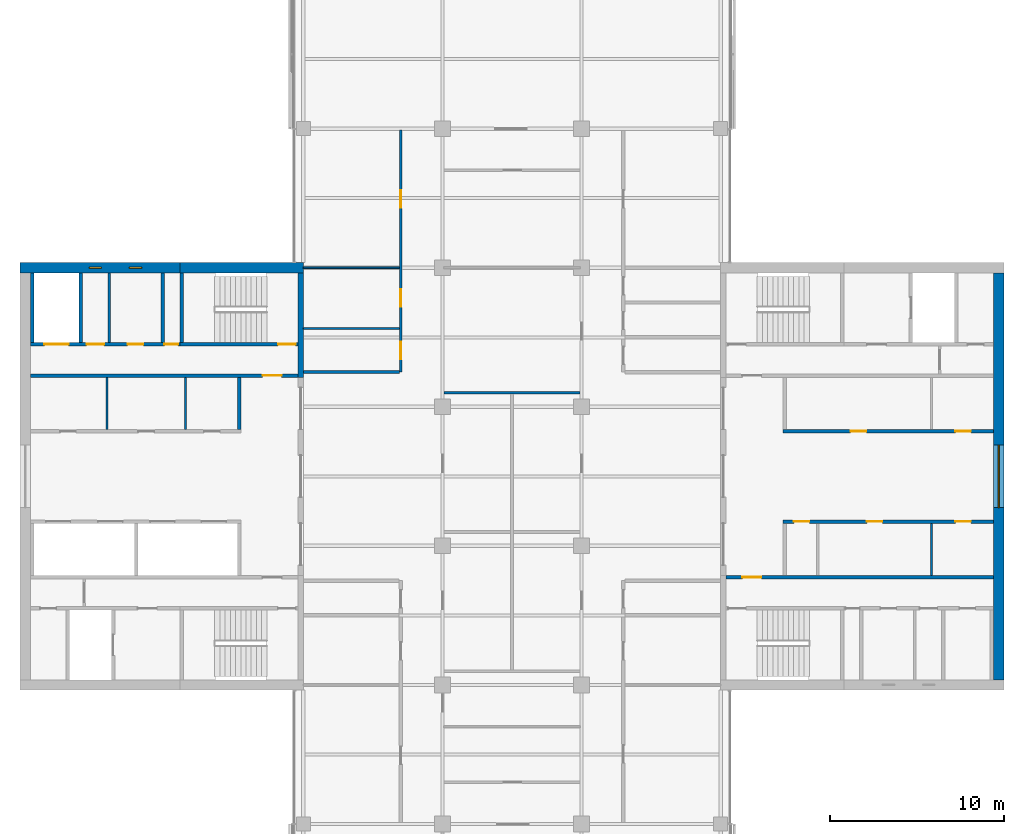
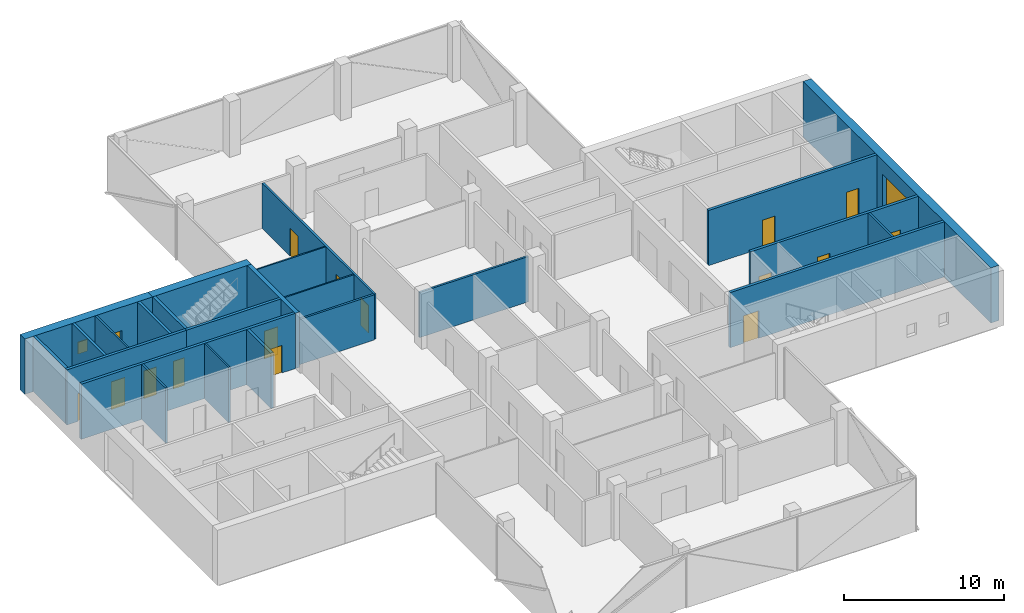
# One storey, part 11 of 16: 24 walls, 15 doors, 3 windows, 18 openings.
"""IFC4 building model written with IfcOpenShell, lengths in metres."""

from ifc_helpers import new_model, si_unit, direction, frame, frame_2d, origin, place, context, subcontext, project, spatial, rectangle, extrude, material, layer, layer_set, constituent, constituent_set, type_object, element, fill, save


model = new_model("IFC4")

# Units and contexts
model_context = context("Model", 3, precision=1e-05, world=origin(), true_north=direction((0.0, 1.0)))
body_context = subcontext(model_context, "Body", "Model", "MODEL_VIEW")
ifc_project = project(units=[si_unit("LENGTHUNIT", "METRE"), si_unit("AREAUNIT", "SQUARE_METRE"), si_unit("VOLUMEUNIT", "CUBIC_METRE"), si_unit("PLANEANGLEUNIT", "RADIAN"), si_unit("MASSUNIT", "GRAM", prefix="KILO")], contexts=[model_context])

# Site, building, storey
site_placement = place(None, origin())
site = spatial("IfcSite", under=ifc_project, at=site_placement, CompositionType="ELEMENT")
building_placement = place(site_placement, origin())
building = spatial("IfcBuilding", under=site, at=building_placement, Name="Crosswind Convention Tower", CompositionType="ELEMENT")
storey_placement = place(building_placement, frame((0.0, 0.0, 216.699951171875)))
storey = spatial("IfcBuildingStorey", under=building, at=storey_placement, Name="L46", CompositionType="ELEMENT", Elevation=216.699951171875)

# Walls
ifc_material_1 = material(Name="Concrete blockwork", Category="masonry")
ifc_layer_1 = layer(ifc_material_1, 0.199951171875)
ifc_layer_set_1 = layer_set([ifc_layer_1], Name="Blockwork partition wall 200")
wall_type_1 = type_object("IfcWallType", Name="Blockwork partition wall 200", PredefinedType="PARTITIONING", material=ifc_layer_set_1)
wall_1_placement = place(storey_placement, frame((104.89990234375, 111.699951171875, 0.0), z_axis=(0.0, 0.0, 1.0), x_axis=(0.0, -1.0, 0.0)))
element("IfcWall", 1, at=wall_1_placement, inside=storey, type_object=wall_type_1, Name="Wall MRSE W L46", PredefinedType="PARTITIONING", context=body_context, shape_type="SweptSolid", body=[
    extrude(rectangle(XDim=4.0, YDim=0.199951171875, at=frame_2d((2.0, 0.0))), origin(), (0.0, 0.0, 1.0), 4.199951171875),
])
ifc_material_2 = material(Name="Concrete C50/60", Category="concrete")
ifc_layer_2 = layer(ifc_material_2, 0.300048828125)
ifc_layer_set_2 = layer_set([ifc_layer_2], Name="Concrete C50/60")
wall_type_2 = type_object("IfcWallType", Name="Concrete inner core wall 300", PredefinedType="SHEAR", material=ifc_layer_set_2)
wall_2_placement = place(storey_placement, frame((112.85009765625, 111.699951171875, 0.0), z_axis=(0.0, 0.0, 1.0), x_axis=(0.0, -1.0, 0.0)))
element("IfcWall", 2, at=wall_2_placement, inside=storey, type_object=wall_type_2, Name="Wall EM W L46", PredefinedType="SHEAR", context=body_context, shape_type="SweptSolid", body=[
    extrude(rectangle(XDim=6.0, YDim=0.300048828125, at=frame_2d((3.0, 0.0))), origin(), (0.0, 0.0, 1.0), 4.199951171875),
])

# Wall, openings, doors
ifc_layer_3 = layer(ifc_material_2, 0.199951171875)
ifc_layer_set_3 = layer_set([ifc_layer_3], Name="Concrete C50/60")
wall_type_3 = type_object("IfcWallType", Name="Concrete shaft and stair wall 200", PredefinedType="SHEAR", material=ifc_layer_set_3)
wall_3_placement = place(storey_placement, frame((140.60009765625, 102.60009765625, 0.0), z_axis=(0.0, 0.0, 1.0), x_axis=(1.0, 0.0, 0.0)))
wall_3 = element("IfcWall", 3, at=wall_3_placement, inside=storey, type_object=wall_type_3, Name="Wall RPFRONT E L46", PredefinedType="SHEAR", context=body_context, shape_type="SweptSolid", body=[
    extrude(rectangle(XDim=12.099853515625, YDim=0.199951171875, at=frame_2d((6.0498046875, 0.0))), origin(), (0.0, 0.0, 1.0), 4.199951171875),
])
opening_1_placement = place(wall_3_placement, frame((3.8837890625, 0.0, 0.0)))
opening_1 = element("IfcOpeningElement", 4, at=opening_1_placement, cuts=wall_3, Name="Opening D106", PredefinedType="OPENING", context=body_context, shape_type="SweptSolid", body=[
    extrude(rectangle(XDim=0.89990234375, YDim=2.10009765625, at=frame_2d((0.449951171875, 1.050048828125))), frame((0.0, 0.10986328125, 0.0), z_axis=(0.0, -1.0, 0.0), x_axis=(1.0, 0.0, 0.0)), (0.0, 0.0, 1.0), 0.219970703125),
])
opening_2_placement = place(wall_3_placement, frame((9.896240234375, 0.0, 0.0)))
opening_2 = element("IfcOpeningElement", 5, at=opening_2_placement, cuts=wall_3, Name="Opening D106", PredefinedType="OPENING", context=body_context, shape_type="SweptSolid", body=[
    extrude(rectangle(XDim=0.89990234375, YDim=2.10009765625, at=frame_2d((0.449951171875, 1.050048828125))), frame((0.0, 0.10986328125, 0.0), z_axis=(0.0, -1.0, 0.0), x_axis=(1.0, 0.0, 0.0)), (0.0, 0.0, 1.0), 0.219970703125),
])
ifc_material_3 = material(Name="Timber door", Category="wood")
door_type_1 = type_object("IfcDoorType", Name="Single leaf door 900x2100", OperationType="NOTDEFINED", PredefinedType="DOOR", material=ifc_material_3)
door_1_placement = place(opening_1_placement, origin())
door_1 = element("IfcDoor", 6, at=door_1_placement, inside=storey, type_object=door_type_1, Name="Door to telecoms room L46", ObjectType="D106", OperationType="SINGLE_SWING_RIGHT", OverallHeight=2.10009765625, OverallWidth=0.89990234375, PredefinedType="DOOR", context=body_context, shape_type="SweptSolid", body=[
    extrude(rectangle(XDim=0.89990234375, YDim=2.10009765625, at=frame_2d((0.449951171875, 1.050048828125))), frame((0.0, 0.02490234375, 0.0), z_axis=(0.0, -1.0, 0.0), x_axis=(1.0, 0.0, 0.0)), (0.0, 0.0, 1.0), 0.050048828125),
])
fill(opening_1, door_1)
door_2_placement = place(opening_2_placement, origin())
door_2 = element("IfcDoor", 7, at=door_2_placement, inside=storey, type_object=door_type_1, Name="Door to storeroom L46", ObjectType="D106", OperationType="SINGLE_SWING_RIGHT", OverallHeight=2.10009765625, OverallWidth=0.89990234375, PredefinedType="DOOR", context=body_context, shape_type="SweptSolid", body=[
    extrude(rectangle(XDim=0.89990234375, YDim=2.10009765625, at=frame_2d((0.449951171875, 1.050048828125))), frame((0.0, 0.02490234375, 0.0), z_axis=(0.0, -1.0, 0.0), x_axis=(1.0, 0.0, 0.0)), (0.0, 0.0, 1.0), 0.050048828125),
])
fill(opening_2, door_2)

wall_4_placement = place(storey_placement, frame((140.60009765625, 97.39990234375, 0.0), z_axis=(0.0, 0.0, 1.0), x_axis=(1.0, 0.0, 0.0)))
wall_4 = element("IfcWall", 8, at=wall_4_placement, inside=storey, type_object=wall_type_3, Name="Wall RMFRONT E L46", PredefinedType="SHEAR", context=body_context, shape_type="SweptSolid", body=[
    extrude(rectangle(XDim=12.099853515625, YDim=0.199951171875, at=frame_2d((6.0498046875, 0.0))), origin(), (0.0, 0.0, 1.0), 4.199951171875),
])
opening_3_placement = place(wall_4_placement, frame((0.611328125, 0.0, 0.0)))
opening_3 = element("IfcOpeningElement", 9, at=opening_3_placement, cuts=wall_4, Name="Opening D106", PredefinedType="OPENING", context=body_context, shape_type="SweptSolid", body=[
    extrude(rectangle(XDim=0.89990234375, YDim=2.10009765625, at=frame_2d((0.449951171875, 1.050048828125))), frame((0.0, 0.10986328125, 0.0), z_axis=(0.0, -1.0, 0.0), x_axis=(1.0, 0.0, 0.0)), (0.0, 0.0, 1.0), 0.219970703125),
])
opening_4_placement = place(wall_4_placement, frame((4.8076171875, 0.0, 0.0)))
opening_4 = element("IfcOpeningElement", 10, at=opening_4_placement, cuts=wall_4, Name="Opening D106", PredefinedType="OPENING", context=body_context, shape_type="SweptSolid", body=[
    extrude(rectangle(XDim=0.89990234375, YDim=2.10009765625, at=frame_2d((0.449951171875, 1.050048828125))), frame((0.0, 0.10986328125, 0.0), z_axis=(0.0, -1.0, 0.0), x_axis=(1.0, 0.0, 0.0)), (0.0, 0.0, 1.0), 0.219970703125),
])
opening_5_placement = place(wall_4_placement, frame((9.896240234375, 0.0, 0.0)))
opening_5 = element("IfcOpeningElement", 11, at=opening_5_placement, cuts=wall_4, Name="Opening D106", PredefinedType="OPENING", context=body_context, shape_type="SweptSolid", body=[
    extrude(rectangle(XDim=0.89990234375, YDim=2.10009765625, at=frame_2d((0.449951171875, 1.050048828125))), frame((0.0, 0.10986328125, 0.0), z_axis=(0.0, -1.0, 0.0), x_axis=(1.0, 0.0, 0.0)), (0.0, 0.0, 1.0), 0.219970703125),
])
door_3_placement = place(opening_3_placement, frame((0.89990234375, 0.0, 0.0), z_axis=(0.0, 0.0, 1.0), x_axis=(-1.0, 0.0, 0.0)))
door_3 = element("IfcDoor", 12, at=door_3_placement, inside=storey, type_object=door_type_1, Name="Door to storeroom L46", ObjectType="D106", OperationType="SINGLE_SWING_LEFT", OverallHeight=2.10009765625, OverallWidth=0.89990234375, PredefinedType="DOOR", context=body_context, shape_type="SweptSolid", body=[
    extrude(rectangle(XDim=0.89990234375, YDim=2.10009765625, at=frame_2d((0.449951171875, 1.050048828125))), frame((0.0, 0.02490234375, 0.0), z_axis=(0.0, -1.0, 0.0), x_axis=(1.0, 0.0, 0.0)), (0.0, 0.0, 1.0), 0.050048828125),
])
fill(opening_3, door_3)
door_4_placement = place(opening_4_placement, frame((0.89990234375, 0.0, 0.0), z_axis=(0.0, 0.0, 1.0), x_axis=(-1.0, 0.0, 0.0)))
door_4 = element("IfcDoor", 13, at=door_4_placement, inside=storey, type_object=door_type_1, Name="Door to tenant services room L46", ObjectType="D106", OperationType="SINGLE_SWING_LEFT", OverallHeight=2.10009765625, OverallWidth=0.89990234375, PredefinedType="DOOR", context=body_context, shape_type="SweptSolid", body=[
    extrude(rectangle(XDim=0.89990234375, YDim=2.10009765625, at=frame_2d((0.449951171875, 1.050048828125))), frame((0.0, 0.02490234375, 0.0), z_axis=(0.0, -1.0, 0.0), x_axis=(1.0, 0.0, 0.0)), (0.0, 0.0, 1.0), 0.050048828125),
])
fill(opening_4, door_4)
door_5_placement = place(opening_5_placement, frame((0.89990234375, 0.0, 0.0), z_axis=(0.0, 0.0, 1.0), x_axis=(-1.0, 0.0, 0.0)))
door_5 = element("IfcDoor", 14, at=door_5_placement, inside=storey, type_object=door_type_1, Name="Door to copy and print room L46", ObjectType="D106", OperationType="SINGLE_SWING_LEFT", OverallHeight=2.10009765625, OverallWidth=0.89990234375, PredefinedType="DOOR", context=body_context, shape_type="SweptSolid", body=[
    extrude(rectangle(XDim=0.89990234375, YDim=2.10009765625, at=frame_2d((0.449951171875, 1.050048828125))), frame((0.0, 0.02490234375, 0.0), z_axis=(0.0, -1.0, 0.0), x_axis=(1.0, 0.0, 0.0)), (0.0, 0.0, 1.0), 0.050048828125),
])
fill(opening_5, door_5)

# Wall, opening, door
wall_5_placement = place(storey_placement, frame((137.300048828125, 94.199951171875, 0.0), z_axis=(0.0, 0.0, 1.0), x_axis=(1.0, 0.0, 0.0)))
wall_5 = element("IfcWall", 15, at=wall_5_placement, inside=storey, type_object=wall_type_3, Name="Wall HM E L46", PredefinedType="SHEAR", context=body_context, shape_type="SweptSolid", body=[
    extrude(rectangle(XDim=15.39990234375, YDim=0.199951171875, at=frame_2d((7.699951171875, 0.0))), origin(), (0.0, 0.0, 1.0), 4.199951171875),
])
opening_6_placement = place(wall_5_placement, frame((0.949951171875, 0.0, 0.0)))
opening_6 = element("IfcOpeningElement", 16, at=opening_6_placement, cuts=wall_5, Name="Opening D104", PredefinedType="OPENING", context=body_context, shape_type="SweptSolid", body=[
    extrude(rectangle(XDim=1.10009765625, YDim=2.10009765625, at=frame_2d((0.550048828125, 1.050048828125))), frame((0.0, 0.10986328125, 0.0), z_axis=(0.0, -1.0, 0.0), x_axis=(1.0, 0.0, 0.0)), (0.0, 0.0, 1.0), 0.219970703125),
])
ifc_material_4 = material(Name="Steel fire door", Category="steel")
door_type_2 = type_object("IfcDoorType", Name="Fire-rated single door 1100x2100", OperationType="NOTDEFINED", PredefinedType="DOOR", material=ifc_material_4)
door_6_placement = place(opening_6_placement, origin())
door_6 = element("IfcDoor", 17, at=door_6_placement, inside=storey, type_object=door_type_2, Name="Corridor door L46", ObjectType="D104", OperationType="SINGLE_SWING_LEFT", OverallHeight=2.10009765625, OverallWidth=1.10009765625, PredefinedType="DOOR", context=body_context, shape_type="SweptSolid", body=[
    extrude(rectangle(XDim=1.10009765625, YDim=2.10009765625, at=frame_2d((0.550048828125, 1.050048828125))), frame((0.0, 0.02490234375, 0.0), z_axis=(0.0, -1.0, 0.0), x_axis=(1.0, 0.0, 0.0)), (0.0, 0.0, 1.0), 0.050048828125),
])
fill(opening_6, door_6)

# Wall
wall_6_placement = place(storey_placement, frame((109.300048828125, 105.699951171875, 0.0), z_axis=(0.0, 0.0, 1.0), x_axis=(0.0, -1.0, 0.0)))
element("IfcWall", 18, at=wall_6_placement, inside=storey, type_object=wall_type_3, Name="Wall RMEND W L46", PredefinedType="SHEAR", context=body_context, shape_type="SweptSolid", body=[
    extrude(rectangle(XDim=3.0, YDim=0.199951171875, at=frame_2d((1.5, 0.0))), origin(), (0.0, 0.0, 1.0), 4.199951171875),
])

# Wall, opening, door
wall_7_placement = place(storey_placement, frame((112.699951171875, 105.800048828125, 0.0), z_axis=(0.0, 0.0, 1.0), x_axis=(-1.0, 0.0, 0.0)))
wall_7 = element("IfcWall", 19, at=wall_7_placement, inside=storey, type_object=wall_type_3, Name="Wall HM W L46", PredefinedType="SHEAR", context=body_context, shape_type="SweptSolid", body=[
    extrude(rectangle(XDim=15.39990234375, YDim=0.199951171875, at=frame_2d((7.699951171875, 0.0))), origin(), (0.0, 0.0, 1.0), 4.199951171875),
])
opening_7_placement = place(wall_7_placement, frame((0.949951171875, 0.0, 0.0)))
opening_7 = element("IfcOpeningElement", 20, at=opening_7_placement, cuts=wall_7, Name="Opening D104", PredefinedType="OPENING", context=body_context, shape_type="SweptSolid", body=[
    extrude(rectangle(XDim=1.10009765625, YDim=2.10009765625, at=frame_2d((0.550048828125, 1.050048828125))), frame((0.0, 0.10986328125, 0.0), z_axis=(0.0, -1.0, 0.0), x_axis=(1.0, 0.0, 0.0)), (0.0, 0.0, 1.0), 0.219970703125),
])
door_7_placement = place(opening_7_placement, origin())
door_7 = element("IfcDoor", 21, at=door_7_placement, inside=storey, type_object=door_type_2, Name="Corridor door L46", ObjectType="D104", OperationType="SINGLE_SWING_LEFT", OverallHeight=2.10009765625, OverallWidth=1.10009765625, PredefinedType="DOOR", context=body_context, shape_type="SweptSolid", body=[
    extrude(rectangle(XDim=1.10009765625, YDim=2.10009765625, at=frame_2d((0.550048828125, 1.050048828125))), frame((0.0, 0.02490234375, 0.0), z_axis=(0.0, -1.0, 0.0), x_axis=(1.0, 0.0, 0.0)), (0.0, 0.0, 1.0), 0.050048828125),
])
fill(opening_7, door_7)

# Walls
for number, where, z_axis, x_axis, name in (
    (22, (106.0, 111.699951171875, 0.0), (0.0, 0.0, 1.0), (0.0, -1.0, 0.0), "Wall MSE W L46"),
    (23, (100.199951171875, 111.699951171875, 0.0), (0.0, 0.0, 1.0), (0.0, -1.0, 0.0), "Wall MFSW W L46"),
    (24, (97.39990234375, 111.699951171875, 0.0), (0.0, 0.0, 1.0), (0.0, -1.0, 0.0), "Wall MFSE W L46"),
):
    element("IfcWall", number, at=place(storey_placement, frame(where, z_axis=z_axis, x_axis=x_axis)), inside=storey, type_object=wall_type_3, Name=name, PredefinedType="SHEAR", context=body_context, shape_type="SweptSolid", body=[
        extrude(rectangle(XDim=4.0, YDim=0.199951171875, at=frame_2d((2.0, 0.0))), origin(), (0.0, 0.0, 1.0), 4.199951171875),
    ])

# Wall, opening, door
wall_8_placement = place(storey_placement, frame((112.699951171875, 107.60009765625, 0.0), z_axis=(0.0, 0.0, 1.0), x_axis=(-1.0, 0.0, 0.0)))
wall_8 = element("IfcWall", 25, at=wall_8_placement, inside=storey, type_object=wall_type_3, Name="Wall MCW W L46", PredefinedType="SHEAR", context=body_context, shape_type="SweptSolid", body=[
    extrude(rectangle(XDim=6.800048828125, YDim=0.199951171875, at=frame_2d((3.39990234375, 0.0))), origin(), (0.0, 0.0, 1.0), 4.199951171875),
])
opening_8_placement = place(wall_8_placement, frame((0.14990234375, 0.0, 0.0)))
opening_8 = element("IfcOpeningElement", 26, at=opening_8_placement, cuts=wall_8, Name="Opening D103", PredefinedType="OPENING", context=body_context, shape_type="SweptSolid", body=[
    extrude(rectangle(XDim=1.0, YDim=2.10009765625, at=frame_2d((0.5, 1.050048828125))), frame((0.0, 0.10986328125, 0.0), z_axis=(0.0, -1.0, 0.0), x_axis=(1.0, 0.0, 0.0)), (0.0, 0.0, 1.0), 0.219970703125),
])
door_type_3 = type_object("IfcDoorType", Name="Fire-rated single door 1000x2100", OperationType="NOTDEFINED", PredefinedType="DOOR", material=ifc_material_4)
door_8_placement = place(opening_8_placement, frame((1.0, 0.0, 0.0), z_axis=(0.0, 0.0, 1.0), x_axis=(-1.0, 0.0, 0.0)))
door_8 = element("IfcDoor", 27, at=door_8_placement, inside=storey, type_object=door_type_3, Name="Stair ST4 door L46", ObjectType="D103", OperationType="SINGLE_SWING_RIGHT", OverallHeight=2.10009765625, OverallWidth=1.0, PredefinedType="DOOR", context=body_context, shape_type="SweptSolid", body=[
    extrude(rectangle(XDim=1.0, YDim=2.10009765625, at=frame_2d((0.5, 1.050048828125))), frame((0.0, 0.02490234375, 0.0), z_axis=(0.0, -1.0, 0.0), x_axis=(1.0, 0.0, 0.0)), (0.0, 0.0, 1.0), 0.050048828125),
])
fill(opening_8, door_8)

# Wall, openings, doors
wall_9_placement = place(storey_placement, frame((105.89990234375, 107.60009765625, 0.0), z_axis=(0.0, 0.0, 1.0), x_axis=(-1.0, 0.0, 0.0)))
wall_9 = element("IfcWall", 28, at=wall_9_placement, inside=storey, type_object=wall_type_3, Name="Wall MCX W L46", PredefinedType="SHEAR", context=body_context, shape_type="SweptSolid", body=[
    extrude(rectangle(XDim=8.599853515625, YDim=0.199951171875, at=frame_2d((4.2998046875, 0.0))), origin(), (0.0, 0.0, 1.0), 4.199951171875),
])
opening_9_placement = place(wall_9_placement, frame((0.10009765625, 0.0, 0.0)))
opening_9 = element("IfcOpeningElement", 29, at=opening_9_placement, cuts=wall_9, Name="Opening D105", PredefinedType="OPENING", context=body_context, shape_type="SweptSolid", body=[
    extrude(rectangle(XDim=0.800048828125, YDim=2.10009765625, at=frame_2d((0.39990234375, 1.050048828125))), frame((0.0, 0.10986328125, 0.0), z_axis=(0.0, -1.0, 0.0), x_axis=(1.0, 0.0, 0.0)), (0.0, 0.0, 1.0), 0.219970703125),
])
opening_10_placement = place(wall_9_placement, frame((2.103759765625, 0.0, 0.0)))
opening_10 = element("IfcOpeningElement", 30, at=opening_10_placement, cuts=wall_9, Name="Opening D106", PredefinedType="OPENING", context=body_context, shape_type="SweptSolid", body=[
    extrude(rectangle(XDim=0.89990234375, YDim=2.10009765625, at=frame_2d((0.449951171875, 1.050048828125))), frame((0.0, 0.10986328125, 0.0), z_axis=(0.0, -1.0, 0.0), x_axis=(1.0, 0.0, 0.0)), (0.0, 0.0, 1.0), 0.219970703125),
])
opening_11_placement = place(wall_9_placement, frame((4.3662109375, 0.0, 0.0)))
opening_11 = element("IfcOpeningElement", 31, at=opening_11_placement, cuts=wall_9, Name="Opening D103", PredefinedType="OPENING", context=body_context, shape_type="SweptSolid", body=[
    extrude(rectangle(XDim=1.0, YDim=2.10009765625, at=frame_2d((0.5, 1.050048828125))), frame((0.0, 0.10986328125, 0.0), z_axis=(0.0, -1.0, 0.0), x_axis=(1.0, 0.0, 0.0)), (0.0, 0.0, 1.0), 0.219970703125),
])
opening_12_placement = place(wall_9_placement, frame((6.39990234375, 0.0, 0.0)))
opening_12 = element("IfcOpeningElement", 32, at=opening_12_placement, cuts=wall_9, Name="Opening LD2", PredefinedType="OPENING", context=body_context, shape_type="SweptSolid", body=[
    extrude(rectangle(XDim=1.39990234375, YDim=2.10009765625, at=frame_2d((0.699951171875, 1.050048828125))), frame((0.0, 0.10986328125, 0.0), z_axis=(0.0, -1.0, 0.0), x_axis=(1.0, 0.0, 0.0)), (0.0, 0.0, 1.0), 0.219970703125),
])
door_9_placement = place(opening_11_placement, frame((1.0, 0.0, 0.0), z_axis=(0.0, 0.0, 1.0), x_axis=(-1.0, 0.0, 0.0)))
door_9 = element("IfcDoor", 33, at=door_9_placement, inside=storey, type_object=door_type_3, Name="Door to accessible wc L46", ObjectType="D103", OperationType="SINGLE_SWING_LEFT", OverallHeight=2.10009765625, OverallWidth=1.0, PredefinedType="DOOR", context=body_context, shape_type="SweptSolid", body=[
    extrude(rectangle(XDim=1.0, YDim=2.10009765625, at=frame_2d((0.5, 1.050048828125))), frame((0.0, 0.02490234375, 0.0), z_axis=(0.0, -1.0, 0.0), x_axis=(1.0, 0.0, 0.0)), (0.0, 0.0, 1.0), 0.050048828125),
])
fill(opening_11, door_9)
ifc_material_5 = material(Name="Stainless steel", Category="steel")
door_type_4 = type_object("IfcDoorType", Name="Lift landing door 1400x2100", OperationType="DOUBLE_DOOR_SLIDING", PredefinedType="DOOR", material=ifc_material_5)
door_10_placement = place(opening_12_placement, origin())
door_10 = element("IfcDoor", 34, at=door_10_placement, inside=storey, type_object=door_type_4, Name="Landing door SV2 L46", ObjectType="LD2", OperationType="DOUBLE_DOOR_SLIDING", OverallHeight=2.10009765625, OverallWidth=1.39990234375, PredefinedType="DOOR", context=body_context, shape_type="SweptSolid", body=[
    extrude(rectangle(XDim=1.39990234375, YDim=2.10009765625, at=frame_2d((0.699951171875, 1.050048828125))), frame((0.0, 0.02490234375, 0.0), z_axis=(0.0, -1.0, 0.0), x_axis=(1.0, 0.0, 0.0)), (0.0, 0.0, 1.0), 0.050048828125),
])
fill(opening_12, door_10)
door_type_5 = type_object("IfcDoorType", Name="Riser access door 800x2100", OperationType="NOTDEFINED", PredefinedType="DOOR", material=ifc_material_4)
door_11_placement = place(opening_9_placement, frame((0.800048828125, 0.0, 0.0), z_axis=(0.0, 0.0, 1.0), x_axis=(-1.0, 0.0, 0.0)))
door_11 = element("IfcDoor", 35, at=door_11_placement, inside=storey, type_object=door_type_5, Name="Riser door L46", ObjectType="D105", OperationType="SINGLE_SWING_LEFT", OverallHeight=2.10009765625, OverallWidth=0.800048828125, PredefinedType="DOOR", context=body_context, shape_type="SweptSolid", body=[
    extrude(rectangle(XDim=0.800048828125, YDim=2.10009765625, at=frame_2d((0.39990234375, 1.050048828125))), frame((0.0, 0.02490234375, 0.0), z_axis=(0.0, -1.0, 0.0), x_axis=(1.0, 0.0, 0.0)), (0.0, 0.0, 1.0), 0.050048828125),
])
fill(opening_9, door_11)
door_12_placement = place(opening_10_placement, frame((0.89990234375, 0.0, 0.0), z_axis=(0.0, 0.0, 1.0), x_axis=(-1.0, 0.0, 0.0)))
door_12 = element("IfcDoor", 36, at=door_12_placement, inside=storey, type_object=door_type_1, Name="Door to wc L46", ObjectType="D106", OperationType="SINGLE_SWING_LEFT", OverallHeight=2.10009765625, OverallWidth=0.89990234375, PredefinedType="DOOR", context=body_context, shape_type="SweptSolid", body=[
    extrude(rectangle(XDim=0.89990234375, YDim=2.10009765625, at=frame_2d((0.449951171875, 1.050048828125))), frame((0.0, 0.02490234375, 0.0), z_axis=(0.0, -1.0, 0.0), x_axis=(1.0, 0.0, 0.0)), (0.0, 0.0, 1.0), 0.050048828125),
])
fill(opening_10, door_12)

# Walls
ifc_material_6 = material(Name="Gypsum plasterboard partition", Category="gypsum")
ifc_layer_4 = layer(ifc_material_6, 0.125)
ifc_layer_set_4 = layer_set([ifc_layer_4], Name="Drywall partition wall 125")
wall_type_4 = type_object("IfcWallType", Name="Drywall partition wall 125", PredefinedType="PARTITIONING", material=ifc_layer_set_4)
for number, where, z_axis, x_axis, name in (
    (37, (149.1298828125, 94.300048828125, 0.0), (0.0, 0.0, 1.0), (0.0, 1.0, 0.0), "Wall RMP2 E L46"),
    (38, (106.22509765625, 105.699951171875, 0.0), (0.0, 0.0, 1.0), (0.0, -1.0, 0.0), "Wall RMP1 W L46"),
    (39, (101.702880859375, 105.699951171875, 0.0), (0.0, 0.0, 1.0), (0.0, -1.0, 0.0), "Wall RMP2 W L46"),
):
    element("IfcWall", number, at=place(storey_placement, frame(where, z_axis=z_axis, x_axis=x_axis)), inside=storey, type_object=wall_type_4, Name=name, PredefinedType="PARTITIONING", context=body_context, shape_type="SweptSolid", body=[
        extrude(rectangle(XDim=3.0, YDim=0.125, at=frame_2d((1.5, 0.0))), origin(), (0.0, 0.0, 1.0), 4.199951171875),
    ])
wall_10_placement = place(storey_placement, frame((101.830078125, 111.699951171875, 0.0), z_axis=(0.0, 0.0, 1.0), x_axis=(0.0, -1.0, 0.0)))
element("IfcWall", 40, at=wall_10_placement, inside=storey, type_object=wall_type_4, Name="Wall MWP1 W L46", PredefinedType="PARTITIONING", context=body_context, shape_type="SweptSolid", body=[
    extrude(rectangle(XDim=4.0, YDim=0.125, at=frame_2d((2.0, 0.0))), origin(), (0.0, 0.0, 1.0), 4.199951171875),
])
ifc_material_7 = material(Name="Plasterboard partition", Category="gypsum")
ifc_layer_5 = layer(ifc_material_7, 0.10009765625)
ifc_layer_set_5 = layer_set([ifc_layer_5], Name="PARTITION 100 METAL STUD")
wall_type_5 = type_object("IfcWallType", Name="PARTITION 100 METAL STUD", PredefinedType="PARTITIONING", material=ifc_layer_set_5)
for number, where, z_axis, x_axis, name in (
    (41, (113.0, 108.5, 0.0), (0.0, 0.0, 1.0), (1.0, 0.0, 0.0), "Partition wall WT40"),
    (42, (113.0, 112.0, 0.0), (0.0, 0.0, 1.0), (1.0, 0.0, 0.0), "Partition wall WT40"),
):
    element("IfcWall", number, at=place(storey_placement, frame(where, z_axis=z_axis, x_axis=x_axis)), inside=storey, type_object=wall_type_5, Name=name, PredefinedType="PARTITIONING", context=body_context, shape_type="SweptSolid", body=[
        extrude(rectangle(XDim=5.52490234375, YDim=0.10009765625, at=frame_2d((2.762451171875, 0.0))), origin(), (0.0, 0.0, 1.0), 3.43994140625),
    ])

# Wall, openings, doors
ifc_material_8 = material(Name="Fire-board partition with mineral wool", Category="gypsum")
ifc_layer_6 = layer(ifc_material_8, 0.14990234375)
ifc_layer_set_6 = layer_set([ifc_layer_6], Name="TENANCY WALL 150 TWO-HOUR BOARD")
wall_type_6 = type_object("IfcWallType", Name="TENANCY WALL 150 TWO-HOUR BOARD", PredefinedType="PARTITIONING", material=ifc_layer_set_6)
wall_11_placement = place(storey_placement, frame((118.60009765625, 106.0, 0.0), z_axis=(0.0, 0.0, 1.0), x_axis=(0.0, 1.0, 0.0)))
wall_11 = element("IfcWall", 43, at=wall_11_placement, inside=storey, type_object=wall_type_6, Name="Tenancy wall WT41", PredefinedType="PARTITIONING", context=body_context, shape_type="SweptSolid", body=[
    extrude(rectangle(XDim=13.925048828125, YDim=0.14990234375, at=frame_2d((6.96240234375, 0.0))), origin(), (0.0, 0.0, 1.0), 3.43994140625),
])
opening_13_placement = place(wall_11_placement, frame((0.75, 0.0, 0.0)))
opening_13 = element("IfcOpeningElement", 44, at=opening_13_placement, cuts=wall_11, Name="Opening L46-57", PredefinedType="OPENING", context=body_context, shape_type="SweptSolid", body=[
    extrude(rectangle(XDim=1.0, YDim=2.10009765625, at=frame_2d((0.5, 1.050048828125))), frame((0.0, 0.0849609375, 0.0), z_axis=(0.0, -1.0, 0.0), x_axis=(1.0, 0.0, 0.0)), (0.0, 0.0, 1.0), 0.169921875),
])
opening_14_placement = place(wall_11_placement, frame((3.75, 0.0, 0.0)))
opening_14 = element("IfcOpeningElement", 45, at=opening_14_placement, cuts=wall_11, Name="Opening L46-58", PredefinedType="OPENING", context=body_context, shape_type="SweptSolid", body=[
    extrude(rectangle(XDim=1.0, YDim=2.10009765625, at=frame_2d((0.5, 1.050048828125))), frame((0.0, 0.0849609375, 0.0), z_axis=(0.0, -1.0, 0.0), x_axis=(1.0, 0.0, 0.0)), (0.0, 0.0, 1.0), 0.169921875),
])
opening_15_placement = place(wall_11_placement, frame((9.449951171875, 0.0, 0.0)))
opening_15 = element("IfcOpeningElement", 46, at=opening_15_placement, cuts=wall_11, Name="Opening L46-59", PredefinedType="OPENING", context=body_context, shape_type="SweptSolid", body=[
    extrude(rectangle(XDim=1.0, YDim=2.10009765625, at=frame_2d((0.5, 1.050048828125))), frame((0.0, 0.0849609375, 0.0), z_axis=(0.0, -1.0, 0.0), x_axis=(1.0, 0.0, 0.0)), (0.0, 0.0, 1.0), 0.169921875),
])
ifc_material_9 = material(Name="Timber fire door", Category="wood")
door_type_6 = type_object("IfcDoorType", Name="TENANCY ENTRANCE DOOR 1000X2100 FD30S", OperationType="NOTDEFINED", PredefinedType="DOOR", material=ifc_material_9)
door_13_placement = place(opening_13_placement, origin())
door_13 = element("IfcDoor", 47, at=door_13_placement, inside=storey, type_object=door_type_6, Name="Door L46-57", ObjectType="D41", OperationType="SINGLE_SWING_RIGHT", OverallHeight=2.10009765625, OverallWidth=1.0, PredefinedType="DOOR", context=body_context, shape_type="SweptSolid", body=[
    extrude(rectangle(XDim=1.0, YDim=2.10009765625, at=frame_2d((0.5, 1.050048828125))), frame((0.0, 0.02490234375, 0.0), z_axis=(0.0, -1.0, 0.0), x_axis=(1.0, 0.0, 0.0)), (0.0, 0.0, 1.0), 0.050048828125),
])
fill(opening_13, door_13)
door_14_placement = place(opening_14_placement, origin())
door_14 = element("IfcDoor", 48, at=door_14_placement, inside=storey, type_object=door_type_6, Name="Door L46-58", ObjectType="D41", OperationType="SINGLE_SWING_RIGHT", OverallHeight=2.10009765625, OverallWidth=1.0, PredefinedType="DOOR", context=body_context, shape_type="SweptSolid", body=[
    extrude(rectangle(XDim=1.0, YDim=2.10009765625, at=frame_2d((0.5, 1.050048828125))), frame((0.0, 0.02490234375, 0.0), z_axis=(0.0, -1.0, 0.0), x_axis=(1.0, 0.0, 0.0)), (0.0, 0.0, 1.0), 0.050048828125),
])
fill(opening_14, door_14)
door_15_placement = place(opening_15_placement, origin())
door_15 = element("IfcDoor", 49, at=door_15_placement, inside=storey, type_object=door_type_6, Name="Door L46-59", ObjectType="D41", OperationType="SINGLE_SWING_LEFT", OverallHeight=2.10009765625, OverallWidth=1.0, PredefinedType="DOOR", context=body_context, shape_type="SweptSolid", body=[
    extrude(rectangle(XDim=1.0, YDim=2.10009765625, at=frame_2d((0.5, 1.050048828125))), frame((0.0, 0.02490234375, 0.0), z_axis=(0.0, -1.0, 0.0), x_axis=(1.0, 0.0, 0.0)), (0.0, 0.0, 1.0), 0.050048828125),
])
fill(opening_15, door_15)

# Walls
wall_12_placement = place(storey_placement, frame((121.074951171875, 104.800048828125, 0.0), z_axis=(0.0, 0.0, 1.0), x_axis=(1.0, 0.0, 0.0)))
element("IfcWall", 50, at=wall_12_placement, inside=storey, type_object=wall_type_6, Name="Tenancy wall WT41", PredefinedType="PARTITIONING", context=body_context, shape_type="SweptSolid", body=[
    extrude(rectangle(XDim=7.85009765625, YDim=0.14990234375, at=frame_2d((3.925048828125, 0.0))), origin(), (0.0, 0.0, 1.0), 3.43994140625),
])
wall_13_placement = place(storey_placement, frame((113.0, 106.0, 0.0), z_axis=(0.0, 0.0, 1.0), x_axis=(1.0, 0.0, 0.0)))
element("IfcWall", 51, at=wall_13_placement, inside=storey, type_object=wall_type_6, Name="Tenancy wall WT41", PredefinedType="PARTITIONING", context=body_context, shape_type="SweptSolid", body=[
    extrude(rectangle(XDim=5.52490234375, YDim=0.14990234375, at=frame_2d((2.762451171875, 0.0))), origin(), (0.0, 0.0, 1.0), 3.43994140625),
])

# Wall, opening, window
ifc_material_10 = material(Name="Concrete C60/75", Category="concrete")
ifc_constituent_1 = constituent(ifc_material_10, Name="Structure")
ifc_material_11 = material(Name="Terracotta rainscreen", Category="ceramic")
ifc_constituent_2 = constituent(ifc_material_11, Name="Facing")
ifc_constituent_set = constituent_set(constituents=[ifc_constituent_1, ifc_constituent_2], Name="Concrete C60/75, Terracotta rainscreen")
wall_type_7 = type_object("IfcWallType", Name="Terracotta rainscreen on concrete core wall 600", PredefinedType="SHEAR", material=ifc_constituent_set)
wall_14_placement = place(storey_placement, frame((153.0, 88.300048828125, 0.0), z_axis=(0.0, 0.0, 1.0), x_axis=(0.0, 1.0, 0.0)))
wall_14 = element("IfcWall", 52, at=wall_14_placement, inside=storey, type_object=wall_type_7, Name="Wall O E L46", PredefinedType="SHEAR", context=body_context, shape_type="SweptSolid", body=[
    extrude(rectangle(XDim=23.39990234375, YDim=0.60009765625, at=frame_2d((11.699951171875, 0.0))), origin(), (0.0, 0.0, 1.0), 4.199951171875),
])
opening_16_placement = place(wall_14_placement, frame((9.89990234375, 0.0, 0.14990234375)))
opening_16 = element("IfcOpeningElement", 53, at=opening_16_placement, cuts=wall_14, Name="Opening W1", PredefinedType="OPENING", context=body_context, shape_type="SweptSolid", body=[
    extrude(rectangle(XDim=3.60009765625, YDim=3.0, at=frame_2d((1.800048828125, 1.5))), frame((0.0, 0.31005859375, 0.0), z_axis=(0.0, -1.0, 0.0), x_axis=(1.0, 0.0, 0.0)), (0.0, 0.0, 1.0), 0.6201171875),
])
ifc_material_12 = material(Name="Clear laminated glass in aluminium frame", Category="aluminium")
window_type_1 = type_object("IfcWindowType", Name="Lobby end window 3600x3000", PartitioningType="SINGLE_PANEL", PredefinedType="WINDOW", material=ifc_material_12)
window_1_placement = place(opening_16_placement, origin())
window_1 = element("IfcWindow", 54, at=window_1_placement, inside=storey, type_object=window_type_1, Name="Lobby end window L46", ObjectType="W1", OverallHeight=3.0, OverallWidth=3.60009765625, PartitioningType="SINGLE_PANEL", PredefinedType="WINDOW", context=body_context, shape_type="SweptSolid", body=[
    extrude(rectangle(XDim=3.60009765625, YDim=3.0, at=frame_2d((1.800048828125, 1.5))), frame((0.0, 0.030029296875, 0.0), z_axis=(0.0, -1.0, 0.0), x_axis=(1.0, 0.0, 0.0)), (0.0, 0.0, 1.0), 0.06005859375),
])
fill(opening_16, window_1)

# Wall
wall_15_placement = place(storey_placement, frame((113.0, 112.0, 0.0), z_axis=(0.0, 0.0, 1.0), x_axis=(-1.0, 0.0, 0.0)))
element("IfcWall", 55, at=wall_15_placement, inside=storey, type_object=wall_type_7, Name="Wall S1 W L46", PredefinedType="SHEAR", context=body_context, shape_type="SweptSolid", body=[
    extrude(rectangle(XDim=7.10009765625, YDim=0.60009765625, at=frame_2d((3.550048828125, 0.0))), origin(), (0.0, 0.0, 1.0), 4.199951171875),
])

# Wall, openings, windows
wall_16_placement = place(storey_placement, frame((105.89990234375, 112.0, 0.0), z_axis=(0.0, 0.0, 1.0), x_axis=(-1.0, 0.0, 0.0)))
wall_16 = element("IfcWall", 56, at=wall_16_placement, inside=storey, type_object=wall_type_7, Name="Wall S2 W L46", PredefinedType="SHEAR", context=body_context, shape_type="SweptSolid", body=[
    extrude(rectangle(XDim=9.199951171875, YDim=0.60009765625, at=frame_2d((4.60009765625, 0.0))), origin(), (0.0, 0.0, 1.0), 4.199951171875),
])
opening_17_placement = place(wall_16_placement, frame((2.203857421875, 0.0, 1.5)))
opening_17 = element("IfcOpeningElement", 57, at=opening_17_placement, cuts=wall_16, Name="Opening W2", PredefinedType="OPENING", context=body_context, shape_type="SweptSolid", body=[
    extrude(rectangle(XDim=0.699951171875, YDim=0.89990234375, at=frame_2d((0.35009765625, 0.449951171875))), frame((0.0, 0.31005859375, 0.0), z_axis=(0.0, -1.0, 0.0), x_axis=(1.0, 0.0, 0.0)), (0.0, 0.0, 1.0), 0.6201171875),
])
opening_18_placement = place(wall_16_placement, frame((4.516357421875, 0.0, 1.5)))
opening_18 = element("IfcOpeningElement", 58, at=opening_18_placement, cuts=wall_16, Name="Opening W2", PredefinedType="OPENING", context=body_context, shape_type="SweptSolid", body=[
    extrude(rectangle(XDim=0.699951171875, YDim=0.89990234375, at=frame_2d((0.35009765625, 0.449951171875))), frame((0.0, 0.31005859375, 0.0), z_axis=(0.0, -1.0, 0.0), x_axis=(1.0, 0.0, 0.0)), (0.0, 0.0, 1.0), 0.6201171875),
])
ifc_material_13 = material(Name="Obscure glass in aluminium frame", Category="aluminium")
window_type_2 = type_object("IfcWindowType", Name="WC window 700x900", PartitioningType="SINGLE_PANEL", PredefinedType="WINDOW", material=ifc_material_13)
window_2_placement = place(opening_17_placement, origin())
window_2 = element("IfcWindow", 59, at=window_2_placement, inside=storey, type_object=window_type_2, Name="WC window L46", ObjectType="W2", OverallHeight=0.89990234375, OverallWidth=0.699951171875, PartitioningType="SINGLE_PANEL", PredefinedType="WINDOW", context=body_context, shape_type="SweptSolid", body=[
    extrude(rectangle(XDim=0.699951171875, YDim=0.89990234375, at=frame_2d((0.35009765625, 0.449951171875))), frame((0.0, 0.030029296875, 0.0), z_axis=(0.0, -1.0, 0.0), x_axis=(1.0, 0.0, 0.0)), (0.0, 0.0, 1.0), 0.06005859375),
])
fill(opening_17, window_2)
window_3_placement = place(opening_18_placement, origin())
window_3 = element("IfcWindow", 60, at=window_3_placement, inside=storey, type_object=window_type_2, Name="WC window L46", ObjectType="W2", OverallHeight=0.89990234375, OverallWidth=0.699951171875, PartitioningType="SINGLE_PANEL", PredefinedType="WINDOW", context=body_context, shape_type="SweptSolid", body=[
    extrude(rectangle(XDim=0.699951171875, YDim=0.89990234375, at=frame_2d((0.35009765625, 0.449951171875))), frame((0.0, 0.030029296875, 0.0), z_axis=(0.0, -1.0, 0.0), x_axis=(1.0, 0.0, 0.0)), (0.0, 0.0, 1.0), 0.06005859375),
])
fill(opening_18, window_3)

save(model, "model.ifc")
